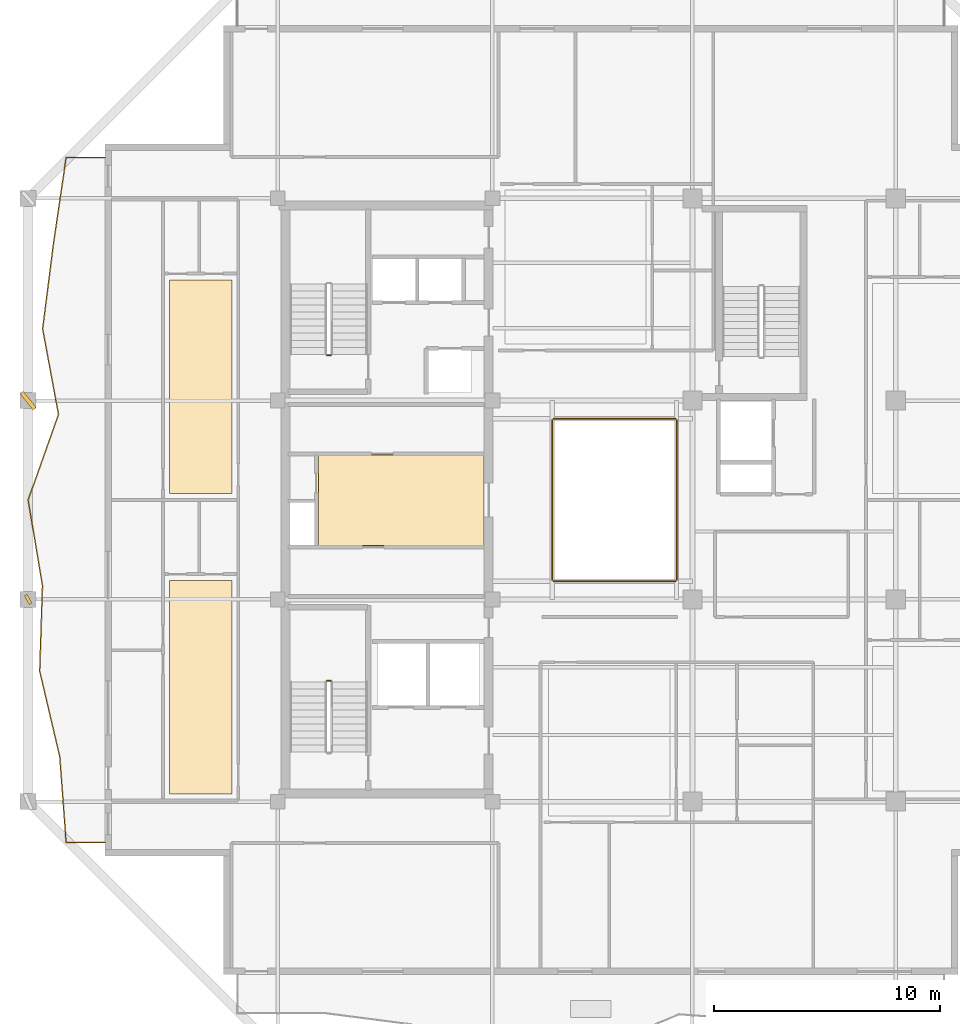
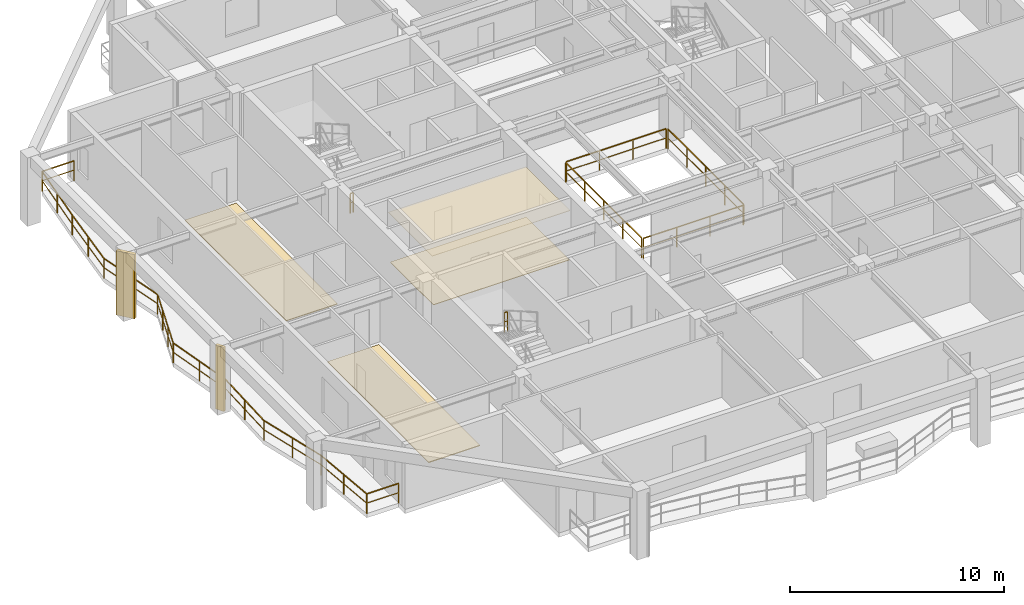
# One storey, part 8 of 11: 7 railings, 4 coverings, 2 shading devices.
"""IFC4 building model written with IfcOpenShell, lengths in metres."""

from ifc_helpers import new_model, si_unit, direction, frame, origin, origin_2d, place, context, subcontext, project, spatial, polyline, rectangle, outline, extrude, material, layer, layer_set, type_object, element, save


model = new_model("IFC4")

# Units and contexts
model_context = context("Model", 3, precision=1e-05, world=origin(), true_north=direction((0.0, 1.0)))
body_context = subcontext(model_context, "Body", "Model", "MODEL_VIEW")
ifc_project = project(units=[si_unit("LENGTHUNIT", "METRE"), si_unit("AREAUNIT", "SQUARE_METRE"), si_unit("VOLUMEUNIT", "CUBIC_METRE"), si_unit("PLANEANGLEUNIT", "RADIAN"), si_unit("MASSUNIT", "GRAM", prefix="KILO")], contexts=[model_context])

# Site, building, storey
site_placement = place(None, origin())
site = spatial("IfcSite", under=ifc_project, at=site_placement, CompositionType="ELEMENT")
building_placement = place(site_placement, origin())
building = spatial("IfcBuilding", under=site, at=building_placement, Name="Kundavana Baori Tower", CompositionType="ELEMENT")
storey_placement = place(building_placement, frame((0.0, 0.0, 221.89990234375)))
storey = spatial("IfcBuildingStorey", under=building, at=storey_placement, Name="L54", CompositionType="ELEMENT", Elevation=221.89990234375)

# Coverings
ifc_material_1 = material(Name="Honed Kota Stone and Terrazzo Flooring", Category="masonry")
ifc_layer_1 = layer(ifc_material_1, 0.0400390625, Name="COV-FLR-TERR-40")
ifc_layer_set_1 = layer_set([ifc_layer_1], Name="Honed Kota Stone and Terrazzo Flooring")
covering_type_1 = type_object("IfcCoveringType", Name="COV-FLR-TERR-40", PredefinedType="FLOORING", material=ifc_layer_set_1)
covering_1_placement = place(storey_placement, origin())
element("IfcCovering", 1, at=covering_1_placement, inside=storey, type_object=covering_type_1, Name="L54 Room Finished Stone Flooring 1", PredefinedType="FLOORING", context=body_context, shape_type="SweptSolid", body=[
    extrude(outline(polyline([(10.64990234375, 15.580078125), (13.419921875, 15.580078125), (13.419921875, 25.0400390625), (10.64990234375, 25.0400390625), (10.64990234375, 15.580078125)])), origin(), (0.0, 0.0, 1.0), 0.0400390625),
])
covering_2_placement = place(storey_placement, origin())
element("IfcCovering", 2, at=covering_2_placement, inside=storey, type_object=covering_type_1, Name="L54 Room Finished Stone Flooring 2", PredefinedType="FLOORING", context=body_context, shape_type="SweptSolid", body=[
    extrude(outline(polyline([(10.64990234375, 28.8798828125), (13.419921875, 28.8798828125), (13.419921875, 38.340087890625), (10.64990234375, 38.340087890625), (10.64990234375, 28.8798828125)])), origin(), (0.0, 0.0, 1.0), 0.0400390625),
])
ifc_material_2 = material(Name="Perforated Acoustic Mineral Fibre Ceiling Board")
ifc_layer_2 = layer(ifc_material_2, 0.02490234375, Name="COV-INT-CEIL")
ifc_layer_set_2 = layer_set([ifc_layer_2], Name="Perforated Acoustic Mineral Fibre Ceiling Board")
covering_type_2 = type_object("IfcCoveringType", Name="COV-INT-CEIL", PredefinedType="CEILING", material=ifc_layer_set_2)
covering_3_placement = place(storey_placement, frame((0.0, 0.0, 2.85009765625)))
element("IfcCovering", 3, at=covering_3_placement, inside=storey, type_object=covering_type_2, Name="L54 Core Lift Lobby Acoustic Ceiling", PredefinedType="CEILING", context=body_context, shape_type="SweptSolid", body=[
    extrude(outline(polyline([(17.159912109375, 26.52001953125), (24.580078125, 26.52001953125), (24.580078125, 30.639892578125), (17.159912109375, 30.639892578125), (17.159912109375, 26.52001953125)])), origin(), (0.0, 0.0, 1.0), 0.02490234375),
])
ifc_material_3 = material(Name="Honed Kota Stone and Terrazzo Flooring", Category="masonry")
ifc_layer_3 = layer(ifc_material_3, 0.030029296875, Name="COV-INT-FLR")
ifc_layer_set_3 = layer_set([ifc_layer_3], Name="Honed Kota Stone and Terrazzo Flooring")
covering_type_3 = type_object("IfcCoveringType", Name="COV-INT-FLR", PredefinedType="FLOORING", material=ifc_layer_set_3)
covering_4_placement = place(storey_placement, origin())
element("IfcCovering", 4, at=covering_4_placement, inside=storey, type_object=covering_type_3, Name="L54 Core Lift Lobby Kota Stone Flooring", PredefinedType="FLOORING", context=body_context, shape_type="SweptSolid", body=[
    extrude(outline(polyline([(17.25, 26.580078125), (24.580078125, 26.580078125), (24.580078125, 30.60009765625), (17.25, 30.60009765625), (17.25, 26.580078125)])), origin(), (0.0, 0.0, 1.0), 0.030029296875),
])

# Railings
ifc_material_4 = material(Name="Architectural Patinated Bronze Metalwork")
railing_type_1 = type_object("IfcRailingType", Name="RL-BAL-1150", PredefinedType="BALUSTRADE", material=ifc_material_4)
railing_1_placement = place(storey_placement, frame((7.800048828125, 13.449951171875, 0.0)))
element("IfcRailing", 5, at=railing_1_placement, inside=storey, type_object=railing_type_1, Name="L54 Loggia Balcony Balustrade W", PredefinedType="BALUSTRADE", context=body_context, shape_type="SweptSolid", body=[
    extrude(rectangle(XDim=0.048095703125, YDim=0.048095703125, at=origin_2d()), frame((0.0, 0.0, 1.1259765625), z_axis=(-1.0, 0.0, 0.0), x_axis=(0.0, -1.0, 0.0)), (0.0, 0.0, 1.0), 1.719970703125),
    extrude(rectangle(XDim=0.03125, YDim=0.03125, at=origin_2d()), frame((0.0, 0.0, 0.597900390625), z_axis=(-1.0, 0.0, 0.0), x_axis=(0.0, -1.0, 0.0)), (0.0, 0.0, 1.0), 1.719970703125),
    extrude(rectangle(XDim=0.048095703125, YDim=0.048095703125, at=origin_2d()), frame((-1.719970703125, 0.0, 1.1259765625), z_axis=(-0.07448956293, 0.997221793291, 0.0), x_axis=(-0.997221793291, -0.07448956293, 0.0)), (0.0, 0.0, 1.0), 3.798583984375),
    extrude(rectangle(XDim=0.03125, YDim=0.03125, at=origin_2d()), frame((-1.719970703125, 0.0, 0.597900390625), z_axis=(-0.07448956293, 0.997221793291, 0.0), x_axis=(-0.997221793291, -0.07448956293, 0.0)), (0.0, 0.0, 1.0), 3.798583984375),
    extrude(rectangle(XDim=0.048095703125, YDim=0.048095703125, at=origin_2d()), frame((-2.0029296875, 3.7880859375, 1.1259765625), z_axis=(-0.228346574312, 0.973579910434, 0.0), x_axis=(-0.973579910434, -0.228346574312, 0.0)), (0.0, 0.0, 1.0), 3.8896484375),
    extrude(rectangle(XDim=0.03125, YDim=0.03125, at=origin_2d()), frame((-2.0029296875, 3.7880859375, 0.597900390625), z_axis=(-0.228346574312, 0.973579910434, 0.0), x_axis=(-0.973579910434, -0.228346574312, 0.0)), (0.0, 0.0, 1.0), 3.8896484375),
    extrude(rectangle(XDim=0.048095703125, YDim=0.048095703125, at=origin_2d()), frame((-2.89111328125, 7.574951171875, 1.1259765625), z_axis=(0.032216378216, 0.999480917764, 0.0), x_axis=(-0.999480917764, 0.032216378216, 0.0)), (0.0, 0.0, 1.0), 3.7890625),
    extrude(rectangle(XDim=0.03125, YDim=0.03125, at=origin_2d()), frame((-2.89111328125, 7.574951171875, 0.597900390625), z_axis=(0.032216378216, 0.999480917764, 0.0), x_axis=(-0.999480917764, 0.032216378216, 0.0)), (0.0, 0.0, 1.0), 3.7890625),
    extrude(rectangle(XDim=0.048095703125, YDim=0.048095703125, at=origin_2d()), frame((-2.76904296875, 11.362060546875, 1.1259765625), z_axis=(-0.164337131822, 0.986404231086, 0.0), x_axis=(-0.986404231086, -0.164337131822, 0.0)), (0.0, 0.0, 1.0), 3.84033203125),
    extrude(rectangle(XDim=0.03125, YDim=0.03125, at=origin_2d()), frame((-2.76904296875, 11.362060546875, 0.597900390625), z_axis=(-0.164337131822, 0.986404231086, 0.0), x_axis=(-0.986404231086, -0.164337131822, 0.0)), (0.0, 0.0, 1.0), 3.84033203125),
    extrude(rectangle(XDim=0.048095703125, YDim=0.048095703125, at=origin_2d()), frame((-3.400146484375, 15.150146484375, 1.1259765625), z_axis=(0.333744790945, 0.942663468326, 0.0), x_axis=(-0.942663468326, 0.333744790945, 0.0)), (0.0, 0.0, 1.0), 4.018310546875),
    extrude(rectangle(XDim=0.03125, YDim=0.03125, at=origin_2d()), frame((-3.400146484375, 15.150146484375, 0.597900390625), z_axis=(0.333744790945, 0.942663468326, 0.0), x_axis=(-0.942663468326, 0.333744790945, 0.0)), (0.0, 0.0, 1.0), 4.018310546875),
    extrude(rectangle(XDim=0.048095703125, YDim=0.048095703125, at=origin_2d()), frame((-2.05908203125, 18.93798828125, 1.1259765625), z_axis=(-0.182236796168, 0.983254672057, 0.0), x_axis=(-0.983254672057, -0.182236796168, 0.0)), (0.0, 0.0, 1.0), 3.8515625),
    extrude(rectangle(XDim=0.03125, YDim=0.03125, at=origin_2d()), frame((-2.05908203125, 18.93798828125, 0.597900390625), z_axis=(-0.182236796168, 0.983254672057, 0.0), x_axis=(-0.983254672057, -0.182236796168, 0.0)), (0.0, 0.0, 1.0), 3.8515625),
    extrude(rectangle(XDim=0.048095703125, YDim=0.048095703125, at=origin_2d()), frame((-2.760986328125, 22.72509765625, 1.1259765625), z_axis=(0.125994516645, 0.992030937912, 0.0), x_axis=(-0.992030937912, 0.125994516645, 0.0)), (0.0, 0.0, 1.0), 3.8173828125),
    extrude(rectangle(XDim=0.03125, YDim=0.03125, at=origin_2d()), frame((-2.760986328125, 22.72509765625, 0.597900390625), z_axis=(0.125994516645, 0.992030937912, 0.0), x_axis=(-0.992030937912, 0.125994516645, 0.0)), (0.0, 0.0, 1.0), 3.8173828125),
    extrude(rectangle(XDim=0.048095703125, YDim=0.048095703125, at=origin_2d()), frame((-2.280029296875, 26.511962890625, 1.1259765625), z_axis=(0.146257514117, 0.989246551454, 0.0), x_axis=(-0.989246551454, 0.146257514117, 0.0)), (0.0, 0.0, 1.0), 3.829345703125),
    extrude(rectangle(XDim=0.03125, YDim=0.03125, at=origin_2d()), frame((-2.280029296875, 26.511962890625, 0.597900390625), z_axis=(0.146257514117, 0.989246551454, 0.0), x_axis=(-0.989246551454, 0.146257514117, 0.0)), (0.0, 0.0, 1.0), 3.829345703125),
    extrude(rectangle(XDim=0.048095703125, YDim=0.048095703125, at=origin_2d()), frame((-1.719970703125, 30.300048828125, 1.1259765625), z_axis=(1.0, 0.0, 0.0), x_axis=(0.0, 1.0, 0.0)), (0.0, 0.0, 1.0), 1.719970703125),
    extrude(rectangle(XDim=0.03125, YDim=0.03125, at=origin_2d()), frame((-1.719970703125, 30.300048828125, 0.597900390625), z_axis=(1.0, 0.0, 0.0), x_axis=(0.0, 1.0, 0.0)), (0.0, 0.0, 1.0), 1.719970703125),
    extrude(rectangle(XDim=0.0419921875, YDim=0.0419921875, at=origin_2d()), origin(), (0.0, 0.0, 1.0), 1.101806640625),
    extrude(rectangle(XDim=0.0419921875, YDim=0.0419921875, at=origin_2d()), frame((-1.719970703125, 0.0, 0.0)), (0.0, 0.0, 1.0), 1.101806640625),
    extrude(rectangle(XDim=0.0419921875, YDim=0.0419921875, at=origin_2d()), frame((-1.861328125, 1.89404296875, 0.0)), (0.0, 0.0, 1.0), 1.101806640625),
    extrude(rectangle(XDim=0.0419921875, YDim=0.0419921875, at=origin_2d()), frame((-2.0029296875, 3.7880859375, 0.0)), (0.0, 0.0, 1.0), 1.101806640625),
    extrude(rectangle(XDim=0.0419921875, YDim=0.0419921875, at=origin_2d()), frame((-2.447021484375, 5.681640625, 0.0)), (0.0, 0.0, 1.0), 1.101806640625),
    extrude(rectangle(XDim=0.0419921875, YDim=0.0419921875, at=origin_2d()), frame((-2.89111328125, 7.574951171875, 0.0)), (0.0, 0.0, 1.0), 1.101806640625),
    extrude(rectangle(XDim=0.0419921875, YDim=0.0419921875, at=origin_2d()), frame((-2.830078125, 9.468505859375, 0.0)), (0.0, 0.0, 1.0), 1.101806640625),
    extrude(rectangle(XDim=0.0419921875, YDim=0.0419921875, at=origin_2d()), frame((-2.76904296875, 11.362060546875, 0.0)), (0.0, 0.0, 1.0), 1.101806640625),
    extrude(rectangle(XDim=0.0419921875, YDim=0.0419921875, at=origin_2d()), frame((-3.08447265625, 13.256103515625, 0.0)), (0.0, 0.0, 1.0), 1.101806640625),
    extrude(rectangle(XDim=0.0419921875, YDim=0.0419921875, at=origin_2d()), frame((-3.400146484375, 15.150146484375, 0.0)), (0.0, 0.0, 1.0), 1.101806640625),
    extrude(rectangle(XDim=0.0419921875, YDim=0.0419921875, at=origin_2d()), frame((-2.953125, 16.412841796875, 0.0)), (0.0, 0.0, 1.0), 1.101806640625),
    extrude(rectangle(XDim=0.0419921875, YDim=0.0419921875, at=origin_2d()), frame((-2.506103515625, 17.67529296875, 0.0)), (0.0, 0.0, 1.0), 1.101806640625),
    extrude(rectangle(XDim=0.0419921875, YDim=0.0419921875, at=origin_2d()), frame((-2.05908203125, 18.93798828125, 0.0)), (0.0, 0.0, 1.0), 1.101806640625),
    extrude(rectangle(XDim=0.0419921875, YDim=0.0419921875, at=origin_2d()), frame((-2.41015625, 20.83154296875, 0.0)), (0.0, 0.0, 1.0), 1.101806640625),
    extrude(rectangle(XDim=0.0419921875, YDim=0.0419921875, at=origin_2d()), frame((-2.760986328125, 22.72509765625, 0.0)), (0.0, 0.0, 1.0), 1.101806640625),
    extrude(rectangle(XDim=0.0419921875, YDim=0.0419921875, at=origin_2d()), frame((-2.5205078125, 24.61865234375, 0.0)), (0.0, 0.0, 1.0), 1.101806640625),
    extrude(rectangle(XDim=0.0419921875, YDim=0.0419921875, at=origin_2d()), frame((-2.280029296875, 26.511962890625, 0.0)), (0.0, 0.0, 1.0), 1.101806640625),
    extrude(rectangle(XDim=0.0419921875, YDim=0.0419921875, at=origin_2d()), frame((-2.0, 28.406005859375, 0.0)), (0.0, 0.0, 1.0), 1.101806640625),
    extrude(rectangle(XDim=0.0419921875, YDim=0.0419921875, at=origin_2d()), frame((-1.719970703125, 30.300048828125, 0.0)), (0.0, 0.0, 1.0), 1.101806640625),
    extrude(rectangle(XDim=0.0419921875, YDim=0.0419921875, at=origin_2d()), frame((0.0, 30.300048828125, 0.0)), (0.0, 0.0, 1.0), 1.101806640625),
])
ifc_material_5 = material(Name="Architectural Patinated Bronze Metalwork")
railing_type_2 = type_object("IfcRailingType", Name="RL-GRD-1150", PredefinedType="GUARDRAIL", material=ifc_material_5)
for number, where, name in (
    (6, (17.7900390625, 20.60009765625, 1.9501953125), "L54 ST1 stair guard 2"),
    (7, (17.7900390625, 35.0, 0.0), "L54 ST2 stair guard 4"),
):
    element("IfcRailing", number, at=place(storey_placement, frame(where)), inside=storey, type_object=railing_type_2, Name=name, PredefinedType="GUARDRAIL", context=body_context, shape_type="SweptSolid", body=[
        extrude(rectangle(XDim=0.048095703125, YDim=0.048095703125, at=origin_2d()), frame((0.0, 0.0, 1.1259765625), z_axis=(-1.0, 0.0, 0.0), x_axis=(0.0, -1.0, 0.0)), (0.0, 0.0, 1.0), 0.16015625),
        extrude(rectangle(XDim=0.03125, YDim=0.03125, at=origin_2d()), frame((0.0, 0.0, 0.597900390625), z_axis=(-1.0, 0.0, 0.0), x_axis=(0.0, -1.0, 0.0)), (0.0, 0.0, 1.0), 0.16015625),
        extrude(rectangle(XDim=0.0419921875, YDim=0.0419921875, at=origin_2d()), origin(), (0.0, 0.0, 1.0), 1.101806640625),
        extrude(rectangle(XDim=0.0419921875, YDim=0.0419921875, at=origin_2d()), frame((-0.16015625, 0.0, 0.0)), (0.0, 0.0, 1.0), 1.101806640625),
    ])
railing_2_placement = place(storey_placement, frame((27.659912109375, 25.0, 0.0)))
element("IfcRailing", 8, at=railing_2_placement, inside=storey, type_object=railing_type_2, Name="L54 Atrium Void Perimeter Guardrail S", PredefinedType="GUARDRAIL", context=body_context, shape_type="SweptSolid", body=[
    extrude(rectangle(XDim=0.048095703125, YDim=0.048095703125, at=origin_2d()), frame((0.0, 0.0, 1.1259765625), z_axis=(1.0, 0.0, 0.0), x_axis=(0.0, 1.0, 0.0)), (0.0, 0.0, 1.0), 5.380126953125),
    extrude(rectangle(XDim=0.03125, YDim=0.03125, at=origin_2d()), frame((0.0, 0.0, 0.597900390625), z_axis=(1.0, 0.0, 0.0), x_axis=(0.0, 1.0, 0.0)), (0.0, 0.0, 1.0), 5.380126953125),
    extrude(rectangle(XDim=0.0419921875, YDim=0.0419921875, at=origin_2d()), origin(), (0.0, 0.0, 1.0), 1.101806640625),
    extrude(rectangle(XDim=0.0419921875, YDim=0.0419921875, at=origin_2d()), frame((1.79345703125, 0.0, 0.0)), (0.0, 0.0, 1.0), 1.101806640625),
    extrude(rectangle(XDim=0.0419921875, YDim=0.0419921875, at=origin_2d()), frame((3.586669921875, 0.0, 0.0)), (0.0, 0.0, 1.0), 1.101806640625),
    extrude(rectangle(XDim=0.0419921875, YDim=0.0419921875, at=origin_2d()), frame((5.380126953125, 0.0, 0.0)), (0.0, 0.0, 1.0), 1.101806640625),
])
railing_3_placement = place(storey_placement, frame((33.10009765625, 25.06005859375, 0.0)))
element("IfcRailing", 9, at=railing_3_placement, inside=storey, type_object=railing_type_2, Name="L54 Atrium Void Perimeter Guardrail E", PredefinedType="GUARDRAIL", context=body_context, shape_type="SweptSolid", body=[
    extrude(rectangle(XDim=0.048095703125, YDim=0.048095703125, at=origin_2d()), frame((0.0, 0.0, 1.1259765625), z_axis=(0.0, 1.0, 0.0), x_axis=(-1.0, 0.0, 0.0)), (0.0, 0.0, 1.0), 7.079833984375),
    extrude(rectangle(XDim=0.03125, YDim=0.03125, at=origin_2d()), frame((0.0, 0.0, 0.597900390625), z_axis=(0.0, 1.0, 0.0), x_axis=(-1.0, 0.0, 0.0)), (0.0, 0.0, 1.0), 7.079833984375),
    extrude(rectangle(XDim=0.0419921875, YDim=0.0419921875, at=origin_2d()), origin(), (0.0, 0.0, 1.0), 1.101806640625),
    extrude(rectangle(XDim=0.0419921875, YDim=0.0419921875, at=origin_2d()), frame((0.0, 1.77001953125, 0.0)), (0.0, 0.0, 1.0), 1.101806640625),
    extrude(rectangle(XDim=0.0419921875, YDim=0.0419921875, at=origin_2d()), frame((0.0, 3.5400390625, 0.0)), (0.0, 0.0, 1.0), 1.101806640625),
    extrude(rectangle(XDim=0.0419921875, YDim=0.0419921875, at=origin_2d()), frame((0.0, 5.309814453125, 0.0)), (0.0, 0.0, 1.0), 1.101806640625),
    extrude(rectangle(XDim=0.0419921875, YDim=0.0419921875, at=origin_2d()), frame((0.0, 7.079833984375, 0.0)), (0.0, 0.0, 1.0), 1.101806640625),
])
railing_4_placement = place(storey_placement, frame((33.0400390625, 32.199951171875, 0.0)))
element("IfcRailing", 10, at=railing_4_placement, inside=storey, type_object=railing_type_2, Name="L54 Atrium Void Perimeter Guardrail N", PredefinedType="GUARDRAIL", context=body_context, shape_type="SweptSolid", body=[
    extrude(rectangle(XDim=0.048095703125, YDim=0.048095703125, at=origin_2d()), frame((0.0, 0.0, 1.1259765625), z_axis=(-1.0, 0.0, 0.0), x_axis=(0.0, -1.0, 0.0)), (0.0, 0.0, 1.0), 5.380126953125),
    extrude(rectangle(XDim=0.03125, YDim=0.03125, at=origin_2d()), frame((0.0, 0.0, 0.597900390625), z_axis=(-1.0, 0.0, 0.0), x_axis=(0.0, -1.0, 0.0)), (0.0, 0.0, 1.0), 5.380126953125),
    extrude(rectangle(XDim=0.0419921875, YDim=0.0419921875, at=origin_2d()), origin(), (0.0, 0.0, 1.0), 1.101806640625),
    extrude(rectangle(XDim=0.0419921875, YDim=0.0419921875, at=origin_2d()), frame((-1.79345703125, 0.0, 0.0)), (0.0, 0.0, 1.0), 1.101806640625),
    extrude(rectangle(XDim=0.0419921875, YDim=0.0419921875, at=origin_2d()), frame((-3.586669921875, 0.0, 0.0)), (0.0, 0.0, 1.0), 1.101806640625),
    extrude(rectangle(XDim=0.0419921875, YDim=0.0419921875, at=origin_2d()), frame((-5.380126953125, 0.0, 0.0)), (0.0, 0.0, 1.0), 1.101806640625),
])
railing_5_placement = place(storey_placement, frame((27.60009765625, 32.139892578125, 0.0)))
element("IfcRailing", 11, at=railing_5_placement, inside=storey, type_object=railing_type_2, Name="L54 Atrium Void Perimeter Guardrail W", PredefinedType="GUARDRAIL", context=body_context, shape_type="SweptSolid", body=[
    extrude(rectangle(XDim=0.048095703125, YDim=0.048095703125, at=origin_2d()), frame((0.0, 0.0, 1.1259765625), z_axis=(0.0, -1.0, 0.0), x_axis=(1.0, 0.0, 0.0)), (0.0, 0.0, 1.0), 7.079833984375),
    extrude(rectangle(XDim=0.03125, YDim=0.03125, at=origin_2d()), frame((0.0, 0.0, 0.597900390625), z_axis=(0.0, -1.0, 0.0), x_axis=(1.0, 0.0, 0.0)), (0.0, 0.0, 1.0), 7.079833984375),
    extrude(rectangle(XDim=0.0419921875, YDim=0.0419921875, at=origin_2d()), origin(), (0.0, 0.0, 1.0), 1.101806640625),
    extrude(rectangle(XDim=0.0419921875, YDim=0.0419921875, at=origin_2d()), frame((0.0, -1.77001953125, 0.0)), (0.0, 0.0, 1.0), 1.101806640625),
    extrude(rectangle(XDim=0.0419921875, YDim=0.0419921875, at=origin_2d()), frame((0.0, -3.5400390625, 0.0)), (0.0, 0.0, 1.0), 1.101806640625),
    extrude(rectangle(XDim=0.0419921875, YDim=0.0419921875, at=origin_2d()), frame((0.0, -5.309814453125, 0.0)), (0.0, 0.0, 1.0), 1.101806640625),
    extrude(rectangle(XDim=0.0419921875, YDim=0.0419921875, at=origin_2d()), frame((0.0, -7.079833984375, 0.0)), (0.0, 0.0, 1.0), 1.101806640625),
])

# Shading devices
ifc_material_6 = material(Name="Red-Buff Dholpur Sandstone Cladding on Concrete C40/50", Category="masonry")
shading_device_type_1 = type_object("IfcShadingDeviceType", Name="SHD-FIN-920", PredefinedType="JALOUSIE", material=ifc_material_6)
shading_device_1_placement = place(storey_placement, frame((4.39990234375, 33.0, 0.0), z_axis=(0.0, 0.0, 1.0), x_axis=(0.777804557991, 0.628506220787, 0.0)))
element("IfcShadingDevice", 12, at=shading_device_1_placement, inside=storey, type_object=shading_device_type_1, Name="L54 Sweeping Dholpur Sandstone Facade Fin 7", PredefinedType="JALOUSIE", context=body_context, shape_type="SweptSolid", body=[
    extrude(rectangle(XDim=0.179931640625, YDim=0.919921875, at=origin_2d()), origin(), (0.0, 0.0, 1.0), 3.659912109375),
])
ifc_material_7 = material(Name="Architectural Patinated Bronze Metalwork")
shading_device_type_2 = type_object("IfcShadingDeviceType", Name="SHD-LOUV-450", PredefinedType="SHUTTER", material=ifc_material_7)
shading_device_2_placement = place(storey_placement, frame((4.39990234375, 24.199951171875, 0.0), z_axis=(0.0, 0.0, 1.0), x_axis=(0.868717975058, 0.495307056088, 0.0)))
element("IfcShadingDevice", 13, at=shading_device_2_placement, inside=storey, type_object=shading_device_type_2, Name="L54 Sweeping Dholpur Sandstone Facade Fin 6", PredefinedType="SHUTTER", context=body_context, shape_type="SweptSolid", body=[
    extrude(rectangle(XDim=0.139892578125, YDim=0.449951171875, at=origin_2d()), origin(), (0.0, 0.0, 1.0), 3.659912109375),
])

save(model, "model.ifc")
